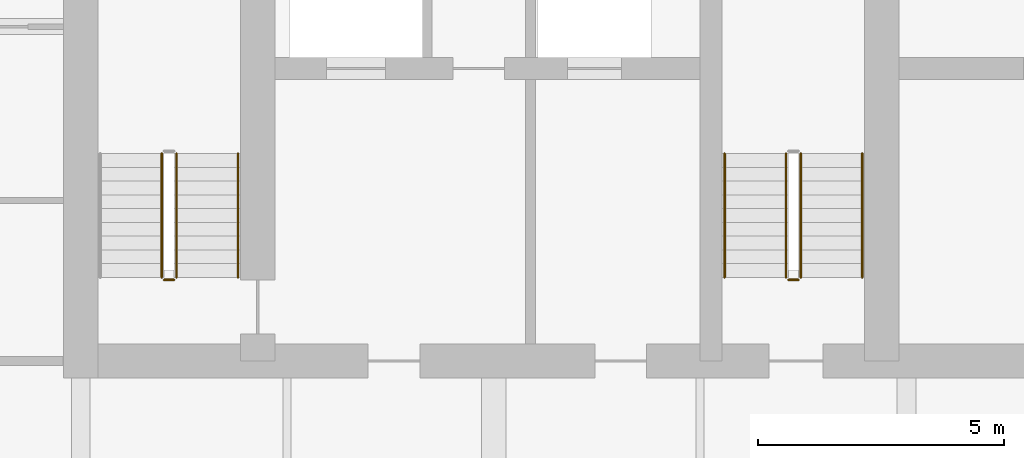
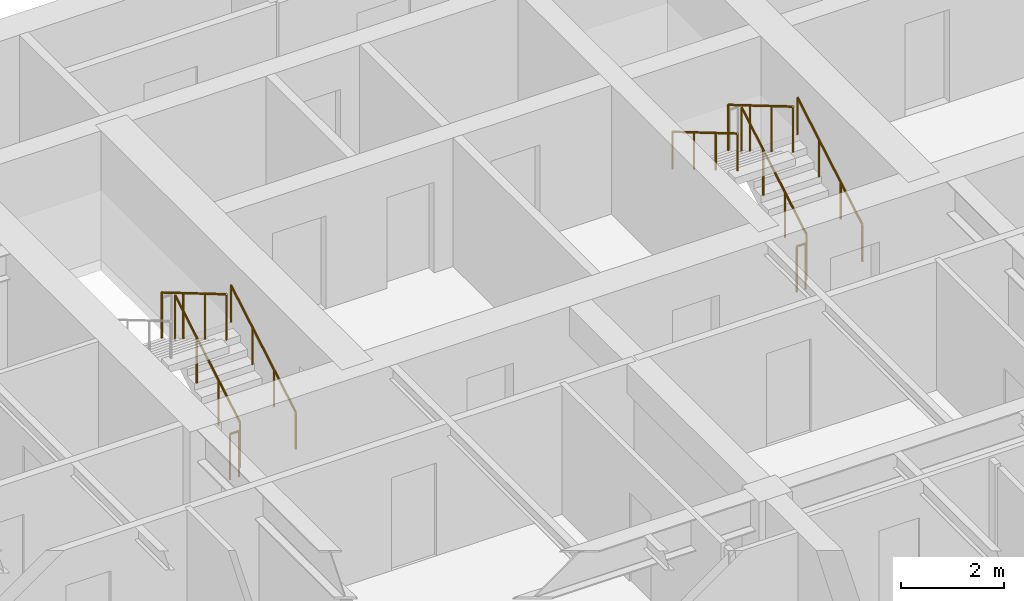
# One storey, part 14 of 17: 9 railings.
"""IFC4 building model written with IfcOpenShell, lengths in metres."""

from ifc_helpers import new_model, si_unit, direction, frame, origin, origin_2d, place, context, subcontext, project, spatial, circle, extrude, material, type_object, element, save


model = new_model("IFC4")

# Units and contexts
model_context = context("Model", 3, precision=1e-05, world=origin(), true_north=direction((0.0, 1.0)))
body_context = subcontext(model_context, "Body", "Model", "MODEL_VIEW")
ifc_project = project(units=[si_unit("LENGTHUNIT", "METRE"), si_unit("AREAUNIT", "SQUARE_METRE"), si_unit("VOLUMEUNIT", "CUBIC_METRE"), si_unit("PLANEANGLEUNIT", "RADIAN"), si_unit("MASSUNIT", "GRAM", prefix="KILO")], contexts=[model_context])

# Site, building, storey
site_placement = place(None, origin())
site = spatial("IfcSite", under=ifc_project, at=site_placement, CompositionType="ELEMENT")
building_placement = place(site_placement, origin())
building = spatial("IfcBuilding", under=site, at=building_placement, Name="Caelmar Bay Residences", CompositionType="ELEMENT")
storey_placement = place(building_placement, frame((0.0, 0.0, 229.800048828125)))
storey = spatial("IfcBuildingStorey", under=building, at=storey_placement, Name="L64", CompositionType="ELEMENT", Elevation=229.800048828125)

# Railings
ifc_material_1 = material(Name="Painted galvanized steel stair guard 1100 mm", Category="steel")
railing_type_1 = type_object("IfcRailingType", Name="RL-GRD-1100", PredefinedType="GUARDRAIL", material=ifc_material_1)
railing_1_placement = place(storey_placement, frame((20.25, 38.699951171875, 0.1650390625)))
element("IfcRailing", 1, at=railing_1_placement, inside=storey, type_object=railing_type_1, Name="L64 ST1 stair guard 1", PredefinedType="GUARDRAIL", context=body_context, shape_type="SweptSolid", body=[
    extrude(circle(Radius=0.02392578125, at=origin_2d()), frame((0.0, 0.0, 1.076171875), z_axis=(0.0, 0.861560626758, 0.507654692109), x_axis=(-1.0, 0.0, 0.0)), (0.0, 0.0, 1.0), 2.925048828125),
    extrude(circle(Radius=0.02099609375, at=origin_2d()), origin(), (0.0, 0.0, 1.0), 1.052001953125),
    extrude(circle(Radius=0.02099609375, at=origin_2d()), frame((0.0, 0.840087890625, 0.494873046875)), (0.0, 0.0, 1.0), 1.052001953125),
    extrude(circle(Radius=0.02099609375, at=origin_2d()), frame((0.0, 1.679931640625, 0.989990234375)), (0.0, 0.0, 1.0), 1.052001953125),
    extrude(circle(Radius=0.02099609375, at=origin_2d()), frame((0.0, 2.52001953125, 1.48486328125)), (0.0, 0.0, 1.0), 1.052001953125),
])
railing_2_placement = place(storey_placement, frame((19.949951171875, 41.219970703125, 1.81494140625)))
element("IfcRailing", 2, at=railing_2_placement, inside=storey, type_object=railing_type_1, Name="L64 ST1 stair guard 3", PredefinedType="GUARDRAIL", context=body_context, shape_type="SweptSolid", body=[
    extrude(circle(Radius=0.02392578125, at=origin_2d()), frame((0.0, 0.0, 1.076171875), z_axis=(0.0, -0.86152411907, 0.507716645641), x_axis=(1.0, 0.0, 0.0)), (0.0, 0.0, 1.0), 2.925048828125),
    extrude(circle(Radius=0.02099609375, at=origin_2d()), origin(), (0.0, 0.0, 1.0), 1.052001953125),
    extrude(circle(Radius=0.02099609375, at=origin_2d()), frame((0.0, -0.840087890625, 0.4951171875)), (0.0, 0.0, 1.0), 1.052001953125),
    extrude(circle(Radius=0.02099609375, at=origin_2d()), frame((0.0, -1.679931640625, 0.989990234375)), (0.0, 0.0, 1.0), 1.052001953125),
    extrude(circle(Radius=0.02099609375, at=origin_2d()), frame((0.0, -2.52001953125, 1.485107421875)), (0.0, 0.0, 1.0), 1.052001953125),
])
railing_3_placement = place(storey_placement, frame((20.199951171875, 38.64990234375, 0.0)))
element("IfcRailing", 3, at=railing_3_placement, inside=storey, type_object=railing_type_1, Name="L64 ST1 stair guard 4", PredefinedType="GUARDRAIL", context=body_context, shape_type="SweptSolid", body=[
    extrude(circle(Radius=0.02392578125, at=origin_2d()), frame((0.0, 0.0, 1.076171875), z_axis=(-1.0, 0.0, 0.0), x_axis=(0.0, -1.0, 0.0)), (0.0, 0.0, 1.0), 0.199951171875),
    extrude(circle(Radius=0.02099609375, at=origin_2d()), origin(), (0.0, 0.0, 1.0), 1.052001953125),
    extrude(circle(Radius=0.02099609375, at=origin_2d()), frame((-0.199951171875, 0.0, 0.0)), (0.0, 0.0, 1.0), 1.052001953125),
])
railing_4_placement = place(storey_placement, frame((32.949951171875, 38.699951171875, 0.1650390625)))
element("IfcRailing", 4, at=railing_4_placement, inside=storey, type_object=railing_type_1, Name="L64 ST3 stair guard 1", PredefinedType="GUARDRAIL", context=body_context, shape_type="SweptSolid", body=[
    extrude(circle(Radius=0.02392578125, at=origin_2d()), frame((0.0, 0.0, 1.076171875), z_axis=(0.0, 0.861560626758, 0.507654692109), x_axis=(-1.0, 0.0, 0.0)), (0.0, 0.0, 1.0), 2.925048828125),
    extrude(circle(Radius=0.02099609375, at=origin_2d()), origin(), (0.0, 0.0, 1.0), 1.052001953125),
    extrude(circle(Radius=0.02099609375, at=origin_2d()), frame((0.0, 0.840087890625, 0.494873046875)), (0.0, 0.0, 1.0), 1.052001953125),
    extrude(circle(Radius=0.02099609375, at=origin_2d()), frame((0.0, 1.679931640625, 0.989990234375)), (0.0, 0.0, 1.0), 1.052001953125),
    extrude(circle(Radius=0.02099609375, at=origin_2d()), frame((0.0, 2.52001953125, 1.48486328125)), (0.0, 0.0, 1.0), 1.052001953125),
])
railing_5_placement = place(storey_placement, frame((32.64990234375, 41.219970703125, 1.81494140625)))
element("IfcRailing", 5, at=railing_5_placement, inside=storey, type_object=railing_type_1, Name="L64 ST3 stair guard 3", PredefinedType="GUARDRAIL", context=body_context, shape_type="SweptSolid", body=[
    extrude(circle(Radius=0.02392578125, at=origin_2d()), frame((0.0, 0.0, 1.076171875), z_axis=(0.0, -0.86152411907, 0.507716645641), x_axis=(1.0, 0.0, 0.0)), (0.0, 0.0, 1.0), 2.925048828125),
    extrude(circle(Radius=0.02099609375, at=origin_2d()), origin(), (0.0, 0.0, 1.0), 1.052001953125),
    extrude(circle(Radius=0.02099609375, at=origin_2d()), frame((0.0, -0.840087890625, 0.4951171875)), (0.0, 0.0, 1.0), 1.052001953125),
    extrude(circle(Radius=0.02099609375, at=origin_2d()), frame((0.0, -1.679931640625, 0.989990234375)), (0.0, 0.0, 1.0), 1.052001953125),
    extrude(circle(Radius=0.02099609375, at=origin_2d()), frame((0.0, -2.52001953125, 1.485107421875)), (0.0, 0.0, 1.0), 1.052001953125),
])
railing_6_placement = place(storey_placement, frame((32.89990234375, 38.64990234375, 0.0)))
element("IfcRailing", 6, at=railing_6_placement, inside=storey, type_object=railing_type_1, Name="L64 ST3 stair guard 4", PredefinedType="GUARDRAIL", context=body_context, shape_type="SweptSolid", body=[
    extrude(circle(Radius=0.02392578125, at=origin_2d()), frame((0.0, 0.0, 1.076171875), z_axis=(-1.0, 0.0, 0.0), x_axis=(0.0, -1.0, 0.0)), (0.0, 0.0, 1.0), 0.199951171875),
    extrude(circle(Radius=0.02099609375, at=origin_2d()), origin(), (0.0, 0.0, 1.0), 1.052001953125),
    extrude(circle(Radius=0.02099609375, at=origin_2d()), frame((-0.199951171875, 0.0, 0.0)), (0.0, 0.0, 1.0), 1.052001953125),
])
ifc_material_2 = material(Name="Brushed bronze stainless-steel tubular handrail 900 mm", Category="steel")
railing_type_2 = type_object("IfcRailingType", Name="RL-HND-900", PredefinedType="HANDRAIL", material=ifc_material_2)
for number, where, name in (
    (7, (21.5, 38.699951171875, 0.1650390625), "L64 ST1 stair handrail 1"),
    (8, (34.199951171875, 38.699951171875, 0.1650390625), "L64 ST3 stair handrail 1"),
):
    element("IfcRailing", number, at=place(storey_placement, frame(where)), inside=storey, type_object=railing_type_2, Name=name, PredefinedType="HANDRAIL", context=body_context, shape_type="SweptSolid", body=[
        extrude(circle(Radius=0.02392578125, at=origin_2d()), frame((0.0, 0.0, 0.8759765625), z_axis=(0.0, 0.861560626758, 0.507654692109), x_axis=(-1.0, 0.0, 0.0)), (0.0, 0.0, 1.0), 2.925048828125),
        extrude(circle(Radius=0.02099609375, at=origin_2d()), origin(), (0.0, 0.0, 1.0), 0.851806640625),
        extrude(circle(Radius=0.02099609375, at=origin_2d()), frame((0.0, 0.840087890625, 0.494873046875)), (0.0, 0.0, 1.0), 0.851806640625),
        extrude(circle(Radius=0.02099609375, at=origin_2d()), frame((0.0, 1.679931640625, 0.989990234375)), (0.0, 0.0, 1.0), 0.851806640625),
        extrude(circle(Radius=0.02099609375, at=origin_2d()), frame((0.0, 2.52001953125, 1.48486328125)), (0.0, 0.0, 1.0), 0.851806640625),
    ])
railing_7_placement = place(storey_placement, frame((31.39990234375, 41.219970703125, 1.81494140625)))
element("IfcRailing", 9, at=railing_7_placement, inside=storey, type_object=railing_type_2, Name="L64 ST3 stair handrail 2", PredefinedType="HANDRAIL", context=body_context, shape_type="SweptSolid", body=[
    extrude(circle(Radius=0.02392578125, at=origin_2d()), frame((0.0, 0.0, 0.8759765625), z_axis=(0.0, -0.86152411907, 0.507716645641), x_axis=(1.0, 0.0, 0.0)), (0.0, 0.0, 1.0), 2.925048828125),
    extrude(circle(Radius=0.02099609375, at=origin_2d()), origin(), (0.0, 0.0, 1.0), 0.851806640625),
    extrude(circle(Radius=0.02099609375, at=origin_2d()), frame((0.0, -0.840087890625, 0.4951171875)), (0.0, 0.0, 1.0), 0.851806640625),
    extrude(circle(Radius=0.02099609375, at=origin_2d()), frame((0.0, -1.679931640625, 0.989990234375)), (0.0, 0.0, 1.0), 0.851806640625),
    extrude(circle(Radius=0.02099609375, at=origin_2d()), frame((0.0, -2.52001953125, 1.485107421875)), (0.0, 0.0, 1.0), 0.851806640625),
])

save(model, "model.ifc")
